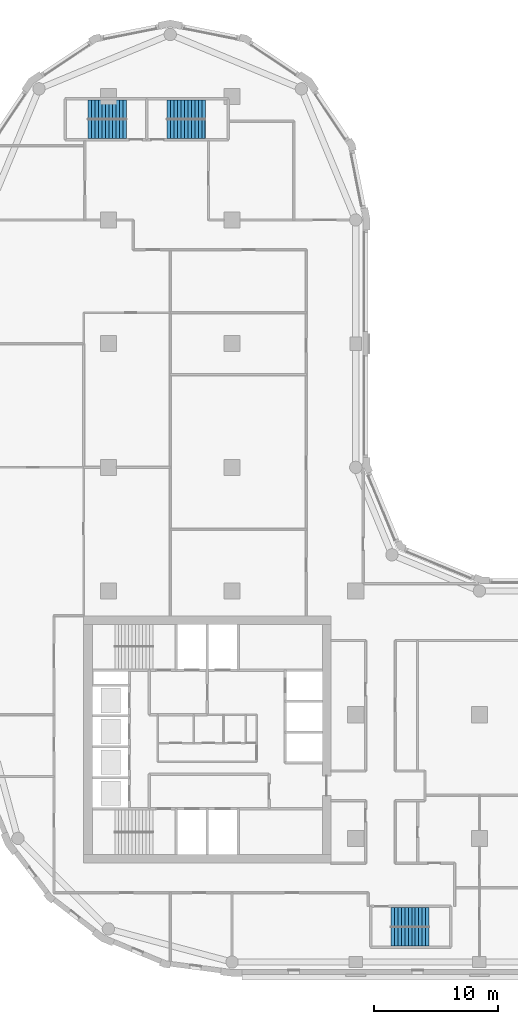
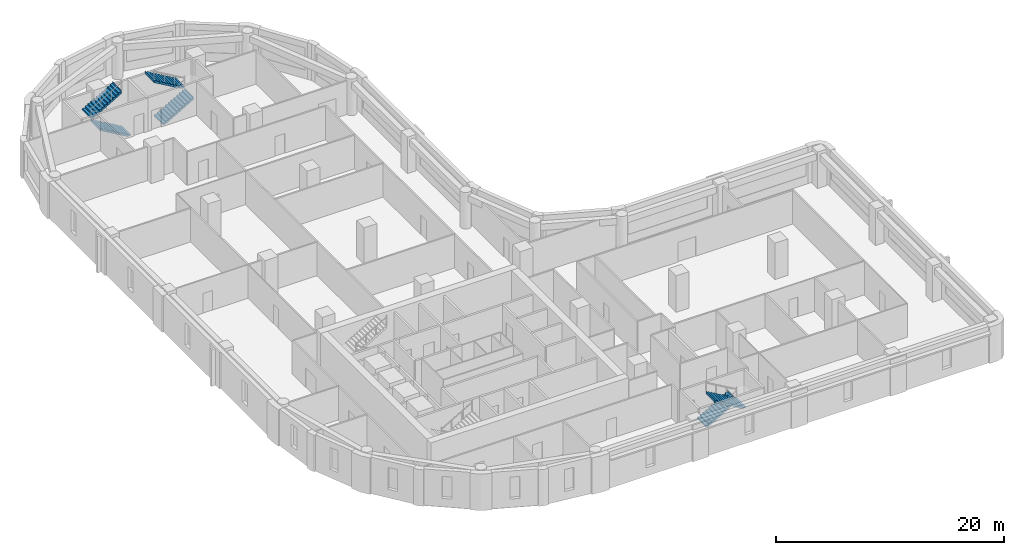
# One storey, part 8 of 10: 6 stair flights, 3 elements without a shape of their own.
"""IFC4 building model written with IfcOpenShell, lengths in metres."""

from ifc_helpers import new_model, si_unit, direction, frame, origin, place, context, subcontext, project, spatial, polyline, outline, extrude, material, type_object, element, aggregate, save


model = new_model("IFC4")

# Units and contexts
model_context = context("Model", 3, precision=1e-05, world=origin(), true_north=direction((0.0, 1.0)))
body_context = subcontext(model_context, "Body", "Model", "MODEL_VIEW")
ifc_project = project(units=[si_unit("LENGTHUNIT", "METRE"), si_unit("AREAUNIT", "SQUARE_METRE"), si_unit("VOLUMEUNIT", "CUBIC_METRE"), si_unit("PLANEANGLEUNIT", "RADIAN"), si_unit("MASSUNIT", "GRAM", prefix="KILO")], contexts=[model_context])

# Site, building, storey
site_placement = place(None, origin())
site = spatial("IfcSite", under=ifc_project, at=site_placement, CompositionType="ELEMENT")
building_placement = place(site_placement, origin())
building = spatial("IfcBuilding", under=site, at=building_placement, Name="Qaws Garden Tower", CompositionType="ELEMENT")
storey_placement = place(building_placement, frame((0.0, 0.0, 205.800048828125)))
storey = spatial("IfcBuildingStorey", under=building, at=storey_placement, Name="L50", CompositionType="ELEMENT", Elevation=205.800048828125)

# Stair, stair flights
ifc_material_1 = material(Name="Concrete C40", Category="concrete")
stair_type = type_object("IfcStairType", Name="Exit stair 1350", PredefinedType="HALF_TURN_STAIR", material=ifc_material_1)
placement = place(storey_placement, origin())
stair_1 = element("IfcStair", 1, at=placement, inside=storey, type_object=stair_type, Name="Stair 5", PredefinedType="HALF_TURN_STAIR")
ifc_material_2 = material(Name="Concrete C40", Category="concrete")
stair_flight_type = type_object("IfcStairFlightType", Name="Stair flight 1350", PredefinedType="STRAIGHT", material=ifc_material_2)
stair_flight_1_placement = place(storey_placement, frame((32.85009765625, 3.625, 0.0), z_axis=(0.0, 0.0, 1.0), x_axis=(1.0, 0.0, 0.0)))
stair_flight_1 = element("IfcStairFlight", 2, at=stair_flight_1_placement, type_object=stair_flight_type, Name="ST5 flight 1", NumberOfRisers=12, NumberOfTreads=11, PredefinedType="STRAIGHT", RiserHeight=0.1625, TreadLength=0.28, context=body_context, shape_type="SweptSolid", body=[
    extrude(outline(polyline([(-0.0029296875, 0.0), (-0.0029296875, 0.16259765625), (0.0, 0.16259765625), (0.280029296875, 0.16259765625), (0.280029296875, 0.324951171875), (0.56005859375, 0.324951171875), (0.56005859375, 0.487548828125), (0.840087890625, 0.487548828125), (0.840087890625, 0.64990234375), (1.1201171875, 0.64990234375), (1.1201171875, 0.8125), (1.39990234375, 0.8125), (1.39990234375, 0.97509765625), (1.679931640625, 0.97509765625), (1.679931640625, 1.137451171875), (1.9599609375, 1.137451171875), (1.9599609375, 1.300048828125), (2.239990234375, 1.300048828125), (2.239990234375, 1.46240234375), (2.52001953125, 1.46240234375), (2.52001953125, 1.625), (2.800048828125, 1.625), (2.800048828125, 1.78759765625), (3.080078125, 1.78759765625), (3.080078125, 1.949951171875), (3.0830078125, 1.949951171875), (3.0830078125, 1.6142578125), (3.080078125, 1.6142578125), (0.298583984375, 0.0), (-0.0029296875, 0.0)])), frame((0.0, 0.77490234375, 0.0), z_axis=(0.0, -1.0, 0.0), x_axis=(1.0, 0.0, 0.0)), (0.0, 0.0, 1.0), 1.550048828125),
])
stair_flight_2_placement = place(storey_placement, frame((35.929931640625, 2.074951171875, 1.949951171875), z_axis=(0.0, 0.0, 1.0), x_axis=(-1.0, 0.0, 0.0)))
stair_flight_2 = element("IfcStairFlight", 3, at=stair_flight_2_placement, type_object=stair_flight_type, Name="ST5 flight 2", NumberOfRisers=12, NumberOfTreads=11, PredefinedType="STRAIGHT", RiserHeight=0.1625, TreadLength=0.28, context=body_context, shape_type="SweptSolid", body=[
    extrude(outline(polyline([(-0.0029296875, 0.0), (-0.0029296875, 0.16259765625), (0.0, 0.16259765625), (0.280029296875, 0.16259765625), (0.280029296875, 0.324951171875), (0.56005859375, 0.324951171875), (0.56005859375, 0.487548828125), (0.840087890625, 0.487548828125), (0.840087890625, 0.64990234375), (1.1201171875, 0.64990234375), (1.1201171875, 0.8125), (1.39990234375, 0.8125), (1.39990234375, 0.97509765625), (1.679931640625, 0.97509765625), (1.679931640625, 1.137451171875), (1.9599609375, 1.137451171875), (1.9599609375, 1.300048828125), (2.239990234375, 1.300048828125), (2.239990234375, 1.46240234375), (2.52001953125, 1.46240234375), (2.52001953125, 1.625), (2.800048828125, 1.625), (2.800048828125, 1.78759765625), (3.080078125, 1.78759765625), (3.080078125, 1.949951171875), (3.0830078125, 1.949951171875), (3.0830078125, 1.6142578125), (3.080078125, 1.6142578125), (0.298583984375, 0.0), (-0.0029296875, 0.0)])), frame((0.0, 0.77490234375, 0.0), z_axis=(0.0, -1.0, 0.0), x_axis=(1.0, 0.0, 0.0)), (0.0, 0.0, 1.0), 1.550048828125),
])
aggregate(stair_1, [stair_flight_1, stair_flight_2])

stair_2 = element("IfcStair", 4, at=placement, inside=storey, type_object=stair_type, Name="Stair 6", PredefinedType="HALF_TURN_STAIR")
stair_flight_3_placement = place(storey_placement, frame((11.449951171875, 67.375, 0.0), z_axis=(0.0, 0.0, 1.0), x_axis=(-1.0, 0.0, 0.0)))
stair_flight_3 = element("IfcStairFlight", 5, at=stair_flight_3_placement, type_object=stair_flight_type, Name="ST6 flight 1", NumberOfRisers=12, NumberOfTreads=11, PredefinedType="STRAIGHT", RiserHeight=0.1625, TreadLength=0.28, context=body_context, shape_type="SweptSolid", body=[
    extrude(outline(polyline([(-0.0029296875, 0.0), (-0.0029296875, 0.16259765625), (0.0, 0.16259765625), (0.280029296875, 0.16259765625), (0.280029296875, 0.324951171875), (0.56005859375, 0.324951171875), (0.56005859375, 0.487548828125), (0.840087890625, 0.487548828125), (0.840087890625, 0.64990234375), (1.1201171875, 0.64990234375), (1.1201171875, 0.8125), (1.39990234375, 0.8125), (1.39990234375, 0.97509765625), (1.679931640625, 0.97509765625), (1.679931640625, 1.137451171875), (1.9599609375, 1.137451171875), (1.9599609375, 1.300048828125), (2.239990234375, 1.300048828125), (2.239990234375, 1.46240234375), (2.52001953125, 1.46240234375), (2.52001953125, 1.625), (2.800048828125, 1.625), (2.800048828125, 1.78759765625), (3.080078125, 1.78759765625), (3.080078125, 1.949951171875), (3.0830078125, 1.949951171875), (3.0830078125, 1.6142578125), (3.080078125, 1.6142578125), (0.298583984375, 0.0), (-0.0029296875, 0.0)])), frame((0.0, 0.77490234375, 0.0), z_axis=(0.0, -1.0, 0.0), x_axis=(1.0, 0.0, 0.0)), (0.0, 0.0, 1.0), 1.550048828125),
])
stair_flight_4_placement = place(storey_placement, frame((8.3701171875, 68.925048828125, 1.949951171875), z_axis=(0.0, 0.0, 1.0), x_axis=(1.0, 0.0, 0.0)))
stair_flight_4 = element("IfcStairFlight", 6, at=stair_flight_4_placement, type_object=stair_flight_type, Name="ST6 flight 2", NumberOfRisers=12, NumberOfTreads=11, PredefinedType="STRAIGHT", RiserHeight=0.1625, TreadLength=0.28, context=body_context, shape_type="SweptSolid", body=[
    extrude(outline(polyline([(-0.0029296875, 0.0), (-0.0029296875, 0.16259765625), (0.0, 0.16259765625), (0.280029296875, 0.16259765625), (0.280029296875, 0.324951171875), (0.56005859375, 0.324951171875), (0.56005859375, 0.487548828125), (0.840087890625, 0.487548828125), (0.840087890625, 0.64990234375), (1.1201171875, 0.64990234375), (1.1201171875, 0.8125), (1.39990234375, 0.8125), (1.39990234375, 0.97509765625), (1.679931640625, 0.97509765625), (1.679931640625, 1.137451171875), (1.9599609375, 1.137451171875), (1.9599609375, 1.300048828125), (2.239990234375, 1.300048828125), (2.239990234375, 1.46240234375), (2.52001953125, 1.46240234375), (2.52001953125, 1.625), (2.800048828125, 1.625), (2.800048828125, 1.78759765625), (3.080078125, 1.78759765625), (3.080078125, 1.949951171875), (3.0830078125, 1.949951171875), (3.0830078125, 1.6142578125), (3.080078125, 1.6142578125), (0.298583984375, 0.0), (-0.0029296875, 0.0)])), frame((0.0, 0.77490234375, 0.0), z_axis=(0.0, -1.0, 0.0), x_axis=(1.0, 0.0, 0.0)), (0.0, 0.0, 1.0), 1.550048828125),
])
aggregate(stair_2, [stair_flight_3, stair_flight_4])

stair_3 = element("IfcStair", 7, at=placement, inside=storey, type_object=stair_type, Name="Stair 7", PredefinedType="HALF_TURN_STAIR")
stair_flight_5_placement = place(storey_placement, frame((14.75, 67.375, 0.0), z_axis=(0.0, 0.0, 1.0), x_axis=(1.0, 0.0, 0.0)))
stair_flight_5 = element("IfcStairFlight", 8, at=stair_flight_5_placement, type_object=stair_flight_type, Name="ST7 flight 1", NumberOfRisers=12, NumberOfTreads=11, PredefinedType="STRAIGHT", RiserHeight=0.1625, TreadLength=0.28, context=body_context, shape_type="SweptSolid", body=[
    extrude(outline(polyline([(-0.0029296875, 0.0), (-0.0029296875, 0.16259765625), (0.0, 0.16259765625), (0.280029296875, 0.16259765625), (0.280029296875, 0.324951171875), (0.56005859375, 0.324951171875), (0.56005859375, 0.487548828125), (0.840087890625, 0.487548828125), (0.840087890625, 0.64990234375), (1.1201171875, 0.64990234375), (1.1201171875, 0.8125), (1.39990234375, 0.8125), (1.39990234375, 0.97509765625), (1.679931640625, 0.97509765625), (1.679931640625, 1.137451171875), (1.9599609375, 1.137451171875), (1.9599609375, 1.300048828125), (2.239990234375, 1.300048828125), (2.239990234375, 1.46240234375), (2.52001953125, 1.46240234375), (2.52001953125, 1.625), (2.800048828125, 1.625), (2.800048828125, 1.78759765625), (3.080078125, 1.78759765625), (3.080078125, 1.949951171875), (3.0830078125, 1.949951171875), (3.0830078125, 1.6142578125), (3.080078125, 1.6142578125), (0.298583984375, 0.0), (-0.0029296875, 0.0)])), frame((0.0, 0.77490234375, 0.0), z_axis=(0.0, -1.0, 0.0), x_axis=(1.0, 0.0, 0.0)), (0.0, 0.0, 1.0), 1.550048828125),
])
stair_flight_6_placement = place(storey_placement, frame((17.830078125, 68.925048828125, 1.949951171875), z_axis=(0.0, 0.0, 1.0), x_axis=(-1.0, 0.0, 0.0)))
stair_flight_6 = element("IfcStairFlight", 9, at=stair_flight_6_placement, type_object=stair_flight_type, Name="ST7 flight 2", NumberOfRisers=12, NumberOfTreads=11, PredefinedType="STRAIGHT", RiserHeight=0.1625, TreadLength=0.28, context=body_context, shape_type="SweptSolid", body=[
    extrude(outline(polyline([(-0.0029296875, 0.0), (-0.0029296875, 0.16259765625), (0.0, 0.16259765625), (0.280029296875, 0.16259765625), (0.280029296875, 0.324951171875), (0.56005859375, 0.324951171875), (0.56005859375, 0.487548828125), (0.840087890625, 0.487548828125), (0.840087890625, 0.64990234375), (1.1201171875, 0.64990234375), (1.1201171875, 0.8125), (1.39990234375, 0.8125), (1.39990234375, 0.97509765625), (1.679931640625, 0.97509765625), (1.679931640625, 1.137451171875), (1.9599609375, 1.137451171875), (1.9599609375, 1.300048828125), (2.239990234375, 1.300048828125), (2.239990234375, 1.46240234375), (2.52001953125, 1.46240234375), (2.52001953125, 1.625), (2.800048828125, 1.625), (2.800048828125, 1.78759765625), (3.080078125, 1.78759765625), (3.080078125, 1.949951171875), (3.0830078125, 1.949951171875), (3.0830078125, 1.6142578125), (3.080078125, 1.6142578125), (0.298583984375, 0.0), (-0.0029296875, 0.0)])), frame((0.0, 0.77490234375, 0.0), z_axis=(0.0, -1.0, 0.0), x_axis=(1.0, 0.0, 0.0)), (0.0, 0.0, 1.0), 1.550048828125),
])
aggregate(stair_3, [stair_flight_5, stair_flight_6])

save(model, "model.ifc")
